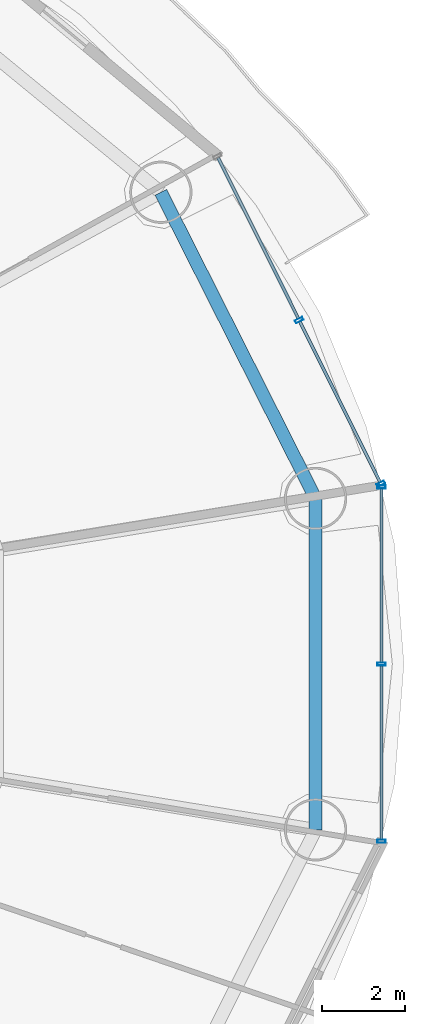
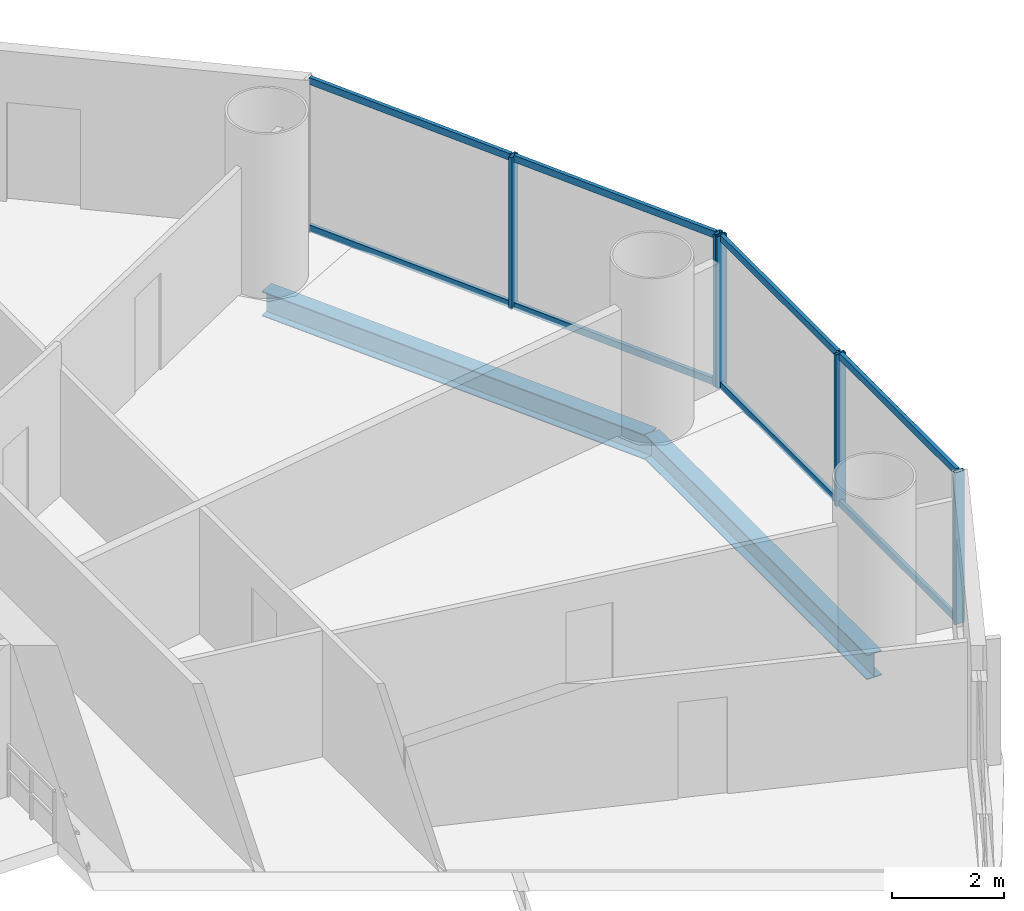
# One storey, part 14 of 28: 13 members, 2 beams, 2 elements without a shape of their own.
"""IFC4 building model written with IfcOpenShell, lengths in metres."""

from ifc_helpers import new_model, si_unit, direction, frame, origin, origin_2d, place, context, subcontext, project, spatial, hollow_rectangle, i_section, extrude, source, transform, mapped, material, material_profile, profile_set, type_object, element, aggregate, save


model = new_model("IFC4")

# Units and contexts
model_context = context("Model", 3, precision=1e-05, world=origin(), true_north=direction((-0.2419218956, 0.970295726276)))
body_context = subcontext(model_context, "Body", "Model", "MODEL_VIEW")
ifc_project = project(units=[si_unit("LENGTHUNIT", "METRE"), si_unit("AREAUNIT", "SQUARE_METRE"), si_unit("VOLUMEUNIT", "CUBIC_METRE"), si_unit("PLANEANGLEUNIT", "RADIAN"), si_unit("MASSUNIT", "GRAM", prefix="KILO")], contexts=[model_context])

# Site, building, storey
site_placement = place(None, origin())
site = spatial("IfcSite", under=ifc_project, at=site_placement, CompositionType="ELEMENT")
building_placement = place(site_placement, origin())
building = spatial("IfcBuilding", under=site, at=building_placement, Name="Cobrevalo Terracotta Tower", CompositionType="ELEMENT")
storey_placement = place(building_placement, frame((0.0, 0.0, 105.0)))
storey = spatial("IfcBuildingStorey", under=building, at=storey_placement, Name="L27", CompositionType="ELEMENT", Elevation=105.0)

# Beams
ifc_material_1 = material(Name="Steel S355", Category="steel")
ifc_material_profile_1 = material_profile(ifc_material_1, i_section(OverallWidth=0.31201171875, OverallDepth=0.54296875, WebThickness=0.0126953125, FlangeThickness=0.020263671875, at=origin_2d()), Name="W 530x150")
ifc_profile_set_1 = profile_set([ifc_material_profile_1], Name="Steel S355")
beam_type = type_object("IfcBeamType", Name="Structural Spandrel W 530x150 (Steel S355)", PredefinedType="SPANDREL", material=ifc_profile_set_1)
beam_1_placement = place(storey_placement, frame((62.470703125, 30.78955078125, -0.54638671875), z_axis=(-0.451051982172, 0.892497680321, 0.0), x_axis=(-0.892497680321, -0.451051982172, 0.0)))
element("IfcBeam", 1, at=beam_1_placement, inside=storey, type_object=beam_type, Name="L27 perimeter ring spandrel 01", PredefinedType="SPANDREL", context=body_context, shape_type="SweptSolid", body=[
    extrude(i_section(OverallWidth=0.31201171875, OverallDepth=0.54296875, WebThickness=0.0126953125, FlangeThickness=0.020263671875, at=origin_2d()), origin(), (0.0, 0.0, 1.0), 8.259765625),
])
beam_2_placement = place(storey_placement, frame((62.470703125, 22.810302734375, -0.54638671875), z_axis=(0.0, 1.0, 0.0), x_axis=(-1.0, 0.0, 0.0)))
element("IfcBeam", 2, at=beam_2_placement, inside=storey, type_object=beam_type, Name="L27 perimeter ring spandrel 16", PredefinedType="SPANDREL", context=body_context, shape_type="SweptSolid", body=[
    extrude(i_section(OverallWidth=0.31201171875, OverallDepth=0.54296875, WebThickness=0.0126953125, FlangeThickness=0.020263671875, at=origin_2d()), origin(), (0.0, 0.0, 1.0), 7.979248046875),
])

# Curtain wall, members
ifc_material_2 = material(Name="Anodized aluminium", Category="aluminium")
curtain_wall_type = type_object("IfcCurtainWallType", Name="Lower-tower unitised acoustic low-E curtain wall CW-U1", PredefinedType="NOTDEFINED", material=ifc_material_2)
curtain_wall_1_placement = place(storey_placement, origin())
curtain_wall_1 = element("IfcCurtainWall", 3, at=curtain_wall_1_placement, inside=storey, type_object=curtain_wall_type, Name="L27 curtain wall CW-L27-S16", PredefinedType="NOTDEFINED")
ifc_material_profile_2 = material_profile(ifc_material_2, hollow_rectangle(XDim=0.074951171875, YDim=0.14990234375, WallThickness=0.00439453125, at=origin_2d()), Name="CWT 75x150")
ifc_profile_set_2 = profile_set([ifc_material_profile_2], Name="Anodized aluminium")
member_type_1 = type_object("IfcMemberType", Name="Tower unitised aluminium transom 75x150", PredefinedType="USERDEFINED", material=ifc_profile_set_2)
shared_shape_1 = source(origin(), body_context, "Body", "SweptSolid", [
    extrude(hollow_rectangle(XDim=0.074951171875, YDim=0.14990234375, WallThickness=0.00439453125, at=origin_2d()), origin(), (0.0, 0.0, 1.0), 4.185546875),
])
member_1_placement = place(storey_placement, frame((64.0595703125, 22.574462890625, 0.050048828125), z_axis=(0.0, 1.0, 0.0), x_axis=(-1.0, 0.0, 0.0)))
member_1 = element("IfcMember", 4, at=member_1_placement, type_object=member_type_1, Name="CW-L27-S16 transom B01-T1", ObjectType="TRANSOM", PredefinedType="USERDEFINED", context=body_context, shape_type="MappedRepresentation", body=[
    mapped(shared_shape_1, transform((0.0, 0.0, 0.0), scale=1.0)),
])
member_2_placement = place(storey_placement, frame((64.0595703125, 22.574462890625, 3.27490234375), z_axis=(0.0, 1.0, 0.0), x_axis=(-1.0, 0.0, 0.0)))
member_2 = element("IfcMember", 5, at=member_2_placement, type_object=member_type_1, Name="CW-L27-S16 transom B01-T2", ObjectType="TRANSOM", PredefinedType="USERDEFINED", context=body_context, shape_type="MappedRepresentation", body=[
    mapped(shared_shape_1, transform((0.0, 0.0, 0.0), scale=1.0)),
])
member_3_placement = place(storey_placement, frame((64.0595703125, 26.840087890625, 0.050048828125), z_axis=(0.0, 1.0, 0.0), x_axis=(-1.0, 0.0, 0.0)))
member_3 = element("IfcMember", 6, at=member_3_placement, type_object=member_type_1, Name="CW-L27-S16 transom B02-T1", ObjectType="TRANSOM", PredefinedType="USERDEFINED", context=body_context, shape_type="MappedRepresentation", body=[
    mapped(shared_shape_1, transform((0.0, 0.0, 0.0), scale=1.0)),
])
member_4_placement = place(storey_placement, frame((64.0595703125, 26.840087890625, 3.27490234375), z_axis=(0.0, 1.0, 0.0), x_axis=(-1.0, 0.0, 0.0)))
member_4 = element("IfcMember", 7, at=member_4_placement, type_object=member_type_1, Name="CW-L27-S16 transom B02-T2", ObjectType="TRANSOM", PredefinedType="USERDEFINED", context=body_context, shape_type="MappedRepresentation", body=[
    mapped(shared_shape_1, transform((0.0, 0.0, 0.0), scale=1.0)),
])

curtain_wall_2_placement = place(storey_placement, origin())
curtain_wall_2 = element("IfcCurtainWall", 8, at=curtain_wall_2_placement, inside=storey, type_object=curtain_wall_type, Name="L27 curtain wall CW-L27-S01", PredefinedType="NOTDEFINED")
ifc_material_profile_3 = material_profile(ifc_material_2, hollow_rectangle(XDim=0.074951171875, YDim=0.199951171875, WallThickness=0.0048828125, at=origin_2d()), Name="CWM 75x200")
ifc_profile_set_3 = profile_set([ifc_material_profile_3], Name="Anodized aluminium")
member_type_2 = type_object("IfcMemberType", Name="Lower/mid tower unitised mullion 75x200", PredefinedType="MULLION", material=ifc_profile_set_3)
shared_shape_2 = source(origin(), body_context, "Body", "SweptSolid", [
    extrude(hollow_rectangle(XDim=0.074951171875, YDim=0.199951171875, WallThickness=0.0048828125, at=origin_2d()), origin(), (0.0, 0.0, 1.0), 3.324951171875),
])
member_5_placement = place(storey_placement, frame((64.04150390625, 31.141357421875, 0.0), z_axis=(0.0, 0.0, 1.0), x_axis=(-0.446260290227, 0.894903208937, 0.0)))
member_5 = element("IfcMember", 9, at=member_5_placement, type_object=member_type_2, Name="CW-L27-S01 vertical mullion 01", PredefinedType="MULLION", context=body_context, shape_type="MappedRepresentation", body=[
    mapped(shared_shape_2, transform((0.0, 0.0, 0.0), scale=1.0)),
])
member_6_placement = place(storey_placement, frame((62.075927734375, 35.08349609375, 0.0), z_axis=(0.0, 0.0, 1.0), x_axis=(-0.446260290227, 0.894903208937, 0.0)))
member_6 = element("IfcMember", 10, at=member_6_placement, type_object=member_type_2, Name="CW-L27-S01 vertical mullion 02", PredefinedType="MULLION", context=body_context, shape_type="MappedRepresentation", body=[
    mapped(shared_shape_2, transform((0.0, 0.0, 0.0), scale=1.0)),
])

# Member
member_7_placement = place(storey_placement, frame((64.0595703125, 22.534423828125, 0.0), z_axis=(0.0, 0.0, 1.0), x_axis=(0.0, 1.0, 0.0)))
member_7 = element("IfcMember", 11, at=member_7_placement, type_object=member_type_2, Name="CW-L27-S16 vertical mullion 01", PredefinedType="MULLION", context=body_context, shape_type="MappedRepresentation", body=[
    mapped(shared_shape_2, transform((0.0, 0.0, 0.0), scale=1.0)),
])

member_8_placement = place(storey_placement, frame((64.0595703125, 26.800048828125, 0.0), z_axis=(0.0, 0.0, 1.0), x_axis=(0.0, 1.0, 0.0)))
member_8 = element("IfcMember", 12, at=member_8_placement, type_object=member_type_2, Name="CW-L27-S16 vertical mullion 02", PredefinedType="MULLION", context=body_context, shape_type="MappedRepresentation", body=[
    mapped(shared_shape_2, transform((0.0, 0.0, 0.0), scale=1.0)),
])

member_9_placement = place(storey_placement, frame((64.0595703125, 31.065673828125, 0.0), z_axis=(0.0, 0.0, 1.0), x_axis=(0.0, 1.0, 0.0)))
member_9 = element("IfcMember", 13, at=member_9_placement, type_object=member_type_2, Name="CW-L27-S16 vertical mullion 03", PredefinedType="MULLION", context=body_context, shape_type="MappedRepresentation", body=[
    mapped(shared_shape_2, transform((0.0, 0.0, 0.0), scale=1.0)),
])

aggregate(curtain_wall_1, [member_7, member_8, member_9, member_1, member_2, member_3, member_4])

shared_shape_3 = source(origin(), body_context, "Body", "SweptSolid", [
    extrude(hollow_rectangle(XDim=0.074951171875, YDim=0.14990234375, WallThickness=0.00439453125, at=origin_2d()), origin(), (0.0, 0.0, 1.0), 4.324951171875),
])
member_10_placement = place(storey_placement, frame((64.023681640625, 31.17724609375, 0.050048828125), z_axis=(-0.446219838389, 0.894923379864, 0.0), x_axis=(-0.894923379864, -0.446219838389, 0.0)))
member_10 = element("IfcMember", 14, at=member_10_placement, type_object=member_type_1, Name="CW-L27-S01 transom B01-T1", ObjectType="TRANSOM", PredefinedType="USERDEFINED", context=body_context, shape_type="MappedRepresentation", body=[
    mapped(shared_shape_3, transform((0.0, 0.0, 0.0), scale=1.0)),
])

member_11_placement = place(storey_placement, frame((64.023681640625, 31.17724609375, 3.27490234375), z_axis=(-0.446219838389, 0.894923379864, 0.0), x_axis=(-0.894923379864, -0.446219838389, 0.0)))
member_11 = element("IfcMember", 15, at=member_11_placement, type_object=member_type_1, Name="CW-L27-S01 transom B01-T2", ObjectType="TRANSOM", PredefinedType="USERDEFINED", context=body_context, shape_type="MappedRepresentation", body=[
    mapped(shared_shape_3, transform((0.0, 0.0, 0.0), scale=1.0)),
])

member_12_placement = place(storey_placement, frame((62.057861328125, 35.119384765625, 0.050048828125), z_axis=(-0.44624238083, 0.894912139571, 0.0), x_axis=(-0.894912139571, -0.44624238083, 0.0)))
member_12 = element("IfcMember", 16, at=member_12_placement, type_object=member_type_1, Name="CW-L27-S01 transom B02-T1", ObjectType="TRANSOM", PredefinedType="USERDEFINED", context=body_context, shape_type="MappedRepresentation", body=[
    mapped(shared_shape_3, transform((0.0, 0.0, 0.0), scale=1.0)),
])

member_13_placement = place(storey_placement, frame((62.057861328125, 35.119384765625, 3.27490234375), z_axis=(-0.44624238083, 0.894912139571, 0.0), x_axis=(-0.894912139571, -0.44624238083, 0.0)))
member_13 = element("IfcMember", 17, at=member_13_placement, type_object=member_type_1, Name="CW-L27-S01 transom B02-T2", ObjectType="TRANSOM", PredefinedType="USERDEFINED", context=body_context, shape_type="MappedRepresentation", body=[
    mapped(shared_shape_3, transform((0.0, 0.0, 0.0), scale=1.0)),
])

aggregate(curtain_wall_2, [member_5, member_6, member_10, member_11, member_12, member_13])

save(model, "model.ifc")
